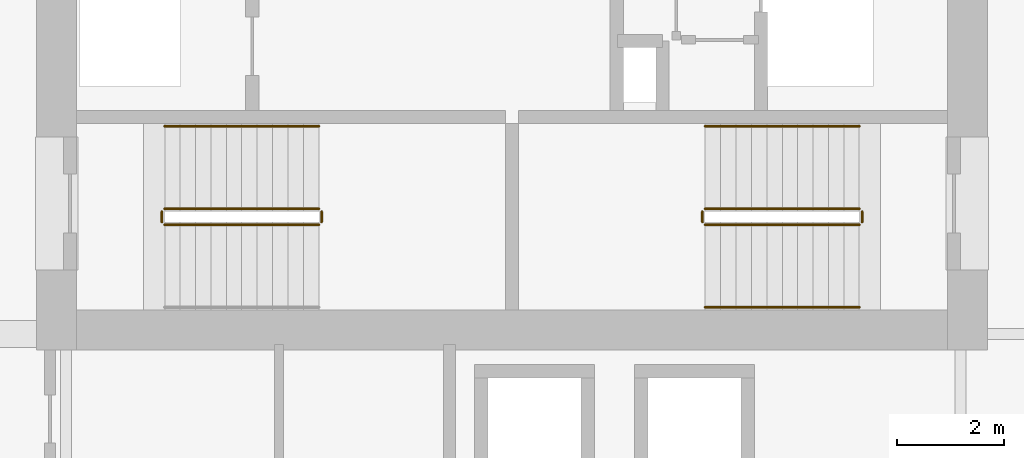
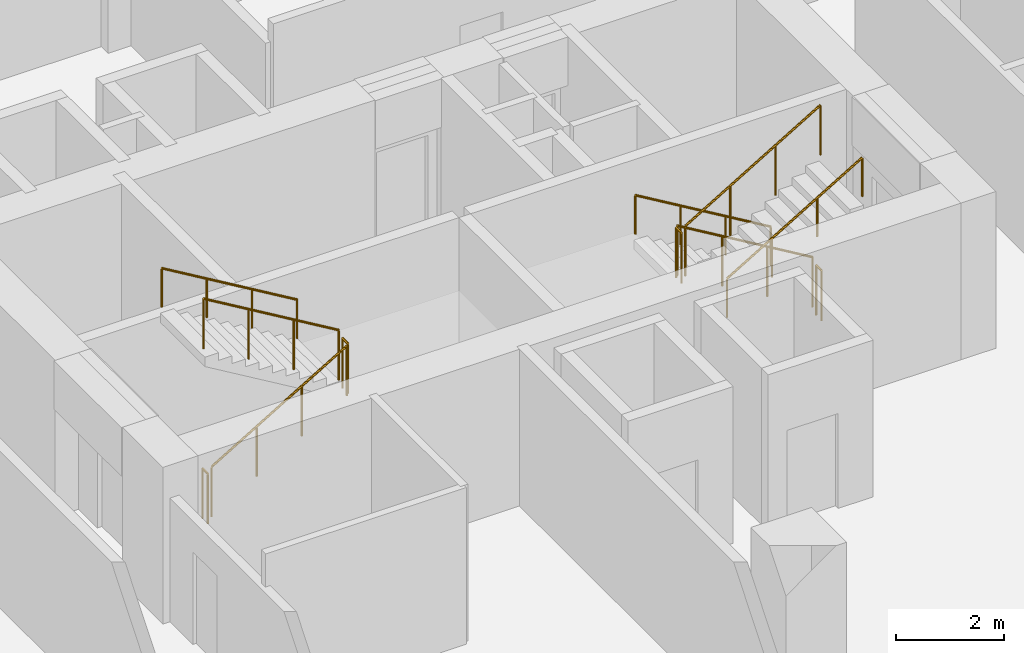
# One storey, part 16 of 18: 11 railings.
"""IFC4 building model written with IfcOpenShell, lengths in metres."""

from ifc_helpers import new_model, si_unit, direction, frame, origin, origin_2d, place, context, subcontext, project, spatial, circle, extrude, material, type_object, element, save


model = new_model("IFC4")

# Units and contexts
model_context = context("Model", 3, precision=1e-05, world=origin(), true_north=direction((0.0, 1.0)))
body_context = subcontext(model_context, "Body", "Model", "MODEL_VIEW")
ifc_project = project(units=[si_unit("LENGTHUNIT", "METRE"), si_unit("AREAUNIT", "SQUARE_METRE"), si_unit("VOLUMEUNIT", "CUBIC_METRE"), si_unit("PLANEANGLEUNIT", "RADIAN"), si_unit("MASSUNIT", "GRAM", prefix="KILO")], contexts=[model_context])

# Site, building, storey
site_placement = place(None, origin())
site = spatial("IfcSite", under=ifc_project, at=site_placement, CompositionType="ELEMENT")
building_placement = place(site_placement, origin())
building = spatial("IfcBuilding", under=site, at=building_placement, Name="Koriwani Terraces Tower", CompositionType="ELEMENT")
storey_placement = place(building_placement, frame((0.0, 0.0, 100.0)))
storey = spatial("IfcBuildingStorey", under=building, at=storey_placement, Name="L23", CompositionType="ELEMENT", Elevation=100.0)

# Railings
ifc_material = material(Name="Steel ASTM A572 Grade 50", Category="steel")
railing_type_1 = type_object("IfcRailingType", Name="GUARD_STAIR_WELL_1120", PredefinedType="GUARDRAIL", material=ifc_material)
railing_1_placement = place(storey_placement, frame((43.85009765625, 18.85009765625, 0.172607421875)))
element("IfcRailing", 1, at=railing_1_placement, inside=storey, type_object=railing_type_1, Name="L23 ST-E1 stair guard 1", PredefinedType="GUARDRAIL", context=body_context, shape_type="SweptSolid", body=[
    extrude(circle(Radius=0.02392578125, at=origin_2d()), frame((0.0, 0.0, 1.1259765625), z_axis=(0.859141464434, 0.0, 0.511738159696), x_axis=(0.0, 1.0, 0.0)), (0.0, 0.0, 1.0), 3.375244140625),
    extrude(circle(Radius=0.02099609375, at=origin_2d()), origin(), (0.0, 0.0, 1.0), 1.101806640625),
    extrude(circle(Radius=0.02099609375, at=origin_2d()), frame((0.966552734375, 0.0, 0.57568359375)), (0.0, 0.0, 1.0), 1.101806640625),
    extrude(circle(Radius=0.02099609375, at=origin_2d()), frame((1.933349609375, 0.0, 1.151611328125)), (0.0, 0.0, 1.0), 1.101806640625),
    extrude(circle(Radius=0.02099609375, at=origin_2d()), frame((2.89990234375, 0.0, 1.727294921875)), (0.0, 0.0, 1.0), 1.101806640625),
])
railing_2_placement = place(storey_placement, frame((46.800048828125, 18.89990234375, 1.89990234375)))
element("IfcRailing", 2, at=railing_2_placement, inside=storey, type_object=railing_type_1, Name="L23 ST-E1 stair guard 2", PredefinedType="GUARDRAIL", context=body_context, shape_type="SweptSolid", body=[
    extrude(circle(Radius=0.02392578125, at=origin_2d()), frame((0.0, 0.0, 1.1259765625), z_axis=(0.0, 1.0, 0.0), x_axis=(-1.0, 0.0, 0.0)), (0.0, 0.0, 1.0), 0.2001953125),
    extrude(circle(Radius=0.02099609375, at=origin_2d()), origin(), (0.0, 0.0, 1.0), 1.101806640625),
    extrude(circle(Radius=0.02099609375, at=origin_2d()), frame((0.0, 0.2001953125, 0.0)), (0.0, 0.0, 1.0), 1.101806640625),
])
railing_3_placement = place(storey_placement, frame((46.75, 19.14990234375, 2.07275390625)))
element("IfcRailing", 3, at=railing_3_placement, inside=storey, type_object=railing_type_1, Name="L23 ST-E1 stair guard 3", PredefinedType="GUARDRAIL", context=body_context, shape_type="SweptSolid", body=[
    extrude(circle(Radius=0.02392578125, at=origin_2d()), frame((0.0, 0.0, 1.1259765625), z_axis=(-0.859141464434, 0.0, 0.511738159696), x_axis=(0.0, -1.0, 0.0)), (0.0, 0.0, 1.0), 3.375244140625),
    extrude(circle(Radius=0.02099609375, at=origin_2d()), origin(), (0.0, 0.0, 1.0), 1.101806640625),
    extrude(circle(Radius=0.02099609375, at=origin_2d()), frame((-0.966552734375, 0.0, 0.57568359375)), (0.0, 0.0, 1.0), 1.101806640625),
    extrude(circle(Radius=0.02099609375, at=origin_2d()), frame((-1.933349609375, 0.0, 1.151611328125)), (0.0, 0.0, 1.0), 1.101806640625),
    extrude(circle(Radius=0.02099609375, at=origin_2d()), frame((-2.89990234375, 0.0, 1.727294921875)), (0.0, 0.0, 1.0), 1.101806640625),
])
railing_4_placement = place(storey_placement, frame((43.800048828125, 18.89990234375, 0.0)))
element("IfcRailing", 4, at=railing_4_placement, inside=storey, type_object=railing_type_1, Name="L23 ST-E1 stair guard 4", PredefinedType="GUARDRAIL", context=body_context, shape_type="SweptSolid", body=[
    extrude(circle(Radius=0.02392578125, at=origin_2d()), frame((0.0, 0.0, 1.1259765625), z_axis=(0.0, 1.0, 0.0), x_axis=(-1.0, 0.0, 0.0)), (0.0, 0.0, 1.0), 0.2001953125),
    extrude(circle(Radius=0.02099609375, at=origin_2d()), origin(), (0.0, 0.0, 1.0), 1.101806640625),
    extrude(circle(Radius=0.02099609375, at=origin_2d()), frame((0.0, 0.2001953125, 0.0)), (0.0, 0.0, 1.0), 1.101806640625),
])
railing_5_placement = place(storey_placement, frame((56.89990234375, 19.14990234375, 0.172607421875)))
element("IfcRailing", 5, at=railing_5_placement, inside=storey, type_object=railing_type_1, Name="L23 ST-E2 stair guard 1", PredefinedType="GUARDRAIL", context=body_context, shape_type="SweptSolid", body=[
    extrude(circle(Radius=0.02392578125, at=origin_2d()), frame((0.0, 0.0, 1.1259765625), z_axis=(-0.859141464434, 0.0, 0.511738159696), x_axis=(0.0, -1.0, 0.0)), (0.0, 0.0, 1.0), 3.375244140625),
    extrude(circle(Radius=0.02099609375, at=origin_2d()), origin(), (0.0, 0.0, 1.0), 1.101806640625),
    extrude(circle(Radius=0.02099609375, at=origin_2d()), frame((-0.966552734375, 0.0, 0.57568359375)), (0.0, 0.0, 1.0), 1.101806640625),
    extrude(circle(Radius=0.02099609375, at=origin_2d()), frame((-1.933349609375, 0.0, 1.151611328125)), (0.0, 0.0, 1.0), 1.101806640625),
    extrude(circle(Radius=0.02099609375, at=origin_2d()), frame((-2.89990234375, 0.0, 1.727294921875)), (0.0, 0.0, 1.0), 1.101806640625),
])
railing_6_placement = place(storey_placement, frame((53.949951171875, 19.10009765625, 1.89990234375)))
element("IfcRailing", 6, at=railing_6_placement, inside=storey, type_object=railing_type_1, Name="L23 ST-E2 stair guard 2", PredefinedType="GUARDRAIL", context=body_context, shape_type="SweptSolid", body=[
    extrude(circle(Radius=0.02392578125, at=origin_2d()), frame((0.0, 0.0, 1.1259765625), z_axis=(0.0, -1.0, 0.0), x_axis=(1.0, 0.0, 0.0)), (0.0, 0.0, 1.0), 0.2001953125),
    extrude(circle(Radius=0.02099609375, at=origin_2d()), origin(), (0.0, 0.0, 1.0), 1.101806640625),
    extrude(circle(Radius=0.02099609375, at=origin_2d()), frame((0.0, -0.2001953125, 0.0)), (0.0, 0.0, 1.0), 1.101806640625),
])
railing_7_placement = place(storey_placement, frame((54.0, 18.85009765625, 2.07275390625)))
element("IfcRailing", 7, at=railing_7_placement, inside=storey, type_object=railing_type_1, Name="L23 ST-E2 stair guard 3", PredefinedType="GUARDRAIL", context=body_context, shape_type="SweptSolid", body=[
    extrude(circle(Radius=0.02392578125, at=origin_2d()), frame((0.0, 0.0, 1.1259765625), z_axis=(0.859141464434, 0.0, 0.511738159696), x_axis=(0.0, 1.0, 0.0)), (0.0, 0.0, 1.0), 3.375244140625),
    extrude(circle(Radius=0.02099609375, at=origin_2d()), origin(), (0.0, 0.0, 1.0), 1.101806640625),
    extrude(circle(Radius=0.02099609375, at=origin_2d()), frame((0.966552734375, 0.0, 0.57568359375)), (0.0, 0.0, 1.0), 1.101806640625),
    extrude(circle(Radius=0.02099609375, at=origin_2d()), frame((1.933349609375, 0.0, 1.151611328125)), (0.0, 0.0, 1.0), 1.101806640625),
    extrude(circle(Radius=0.02099609375, at=origin_2d()), frame((2.89990234375, 0.0, 1.727294921875)), (0.0, 0.0, 1.0), 1.101806640625),
])
railing_8_placement = place(storey_placement, frame((56.949951171875, 19.10009765625, 0.0)))
element("IfcRailing", 8, at=railing_8_placement, inside=storey, type_object=railing_type_1, Name="L23 ST-E2 stair guard 4", PredefinedType="GUARDRAIL", context=body_context, shape_type="SweptSolid", body=[
    extrude(circle(Radius=0.02392578125, at=origin_2d()), frame((0.0, 0.0, 1.1259765625), z_axis=(0.0, -1.0, 0.0), x_axis=(1.0, 0.0, 0.0)), (0.0, 0.0, 1.0), 0.2001953125),
    extrude(circle(Radius=0.02099609375, at=origin_2d()), origin(), (0.0, 0.0, 1.0), 1.101806640625),
    extrude(circle(Radius=0.02099609375, at=origin_2d()), frame((0.0, -0.2001953125, 0.0)), (0.0, 0.0, 1.0), 1.101806640625),
])
railing_type_2 = type_object("IfcRailingType", Name="HANDRAIL_STAIR_920", PredefinedType="HANDRAIL", material=ifc_material)
for number, where, name in (
    (9, (46.75, 20.699951171875, 2.07275390625), "L23 ST-E1 stair handrail 2"),
    (10, (56.89990234375, 20.699951171875, 0.172607421875), "L23 ST-E2 stair handrail 1"),
):
    element("IfcRailing", number, at=place(storey_placement, frame(where)), inside=storey, type_object=railing_type_2, Name=name, PredefinedType="HANDRAIL", context=body_context, shape_type="SweptSolid", body=[
        extrude(circle(Radius=0.02392578125, at=origin_2d()), frame((0.0, 0.0, 0.8759765625), z_axis=(-0.859141464434, 0.0, 0.511738159696), x_axis=(0.0, -1.0, 0.0)), (0.0, 0.0, 1.0), 3.375244140625),
        extrude(circle(Radius=0.02099609375, at=origin_2d()), origin(), (0.0, 0.0, 1.0), 0.851806640625),
        extrude(circle(Radius=0.02099609375, at=origin_2d()), frame((-0.966552734375, 0.0, 0.57568359375)), (0.0, 0.0, 1.0), 0.851806640625),
        extrude(circle(Radius=0.02099609375, at=origin_2d()), frame((-1.933349609375, 0.0, 1.151611328125)), (0.0, 0.0, 1.0), 0.851806640625),
        extrude(circle(Radius=0.02099609375, at=origin_2d()), frame((-2.89990234375, 0.0, 1.727294921875)), (0.0, 0.0, 1.0), 0.851806640625),
    ])
railing_9_placement = place(storey_placement, frame((54.0, 17.300048828125, 2.07275390625)))
element("IfcRailing", 11, at=railing_9_placement, inside=storey, type_object=railing_type_2, Name="L23 ST-E2 stair handrail 2", PredefinedType="HANDRAIL", context=body_context, shape_type="SweptSolid", body=[
    extrude(circle(Radius=0.02392578125, at=origin_2d()), frame((0.0, 0.0, 0.8759765625), z_axis=(0.859141464434, 0.0, 0.511738159696), x_axis=(0.0, 1.0, 0.0)), (0.0, 0.0, 1.0), 3.375244140625),
    extrude(circle(Radius=0.02099609375, at=origin_2d()), origin(), (0.0, 0.0, 1.0), 0.851806640625),
    extrude(circle(Radius=0.02099609375, at=origin_2d()), frame((0.966552734375, 0.0, 0.57568359375)), (0.0, 0.0, 1.0), 0.851806640625),
    extrude(circle(Radius=0.02099609375, at=origin_2d()), frame((1.933349609375, 0.0, 1.151611328125)), (0.0, 0.0, 1.0), 0.851806640625),
    extrude(circle(Radius=0.02099609375, at=origin_2d()), frame((2.89990234375, 0.0, 1.727294921875)), (0.0, 0.0, 1.0), 0.851806640625),
])

save(model, "model.ifc")
